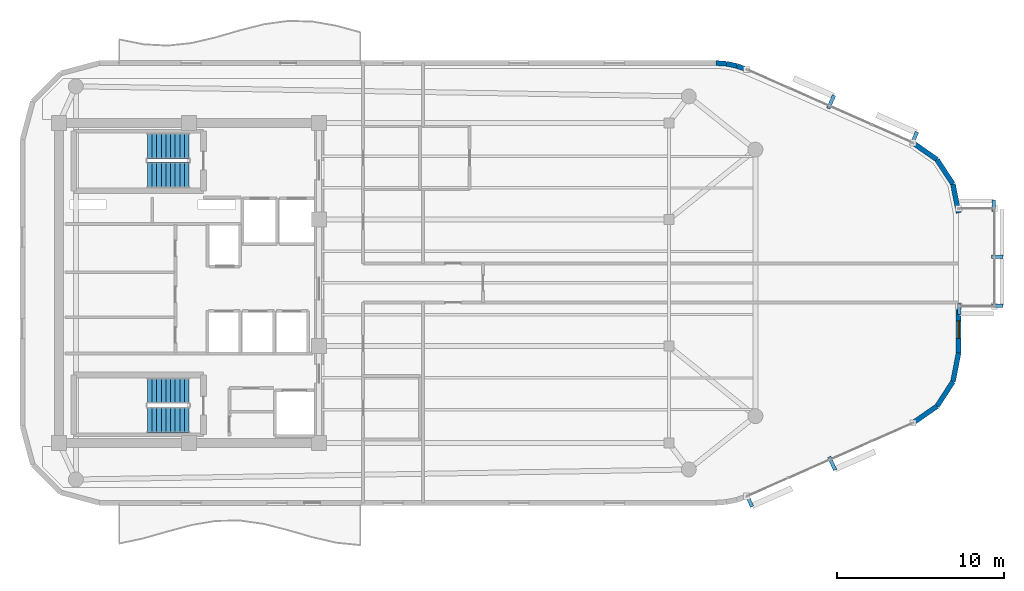
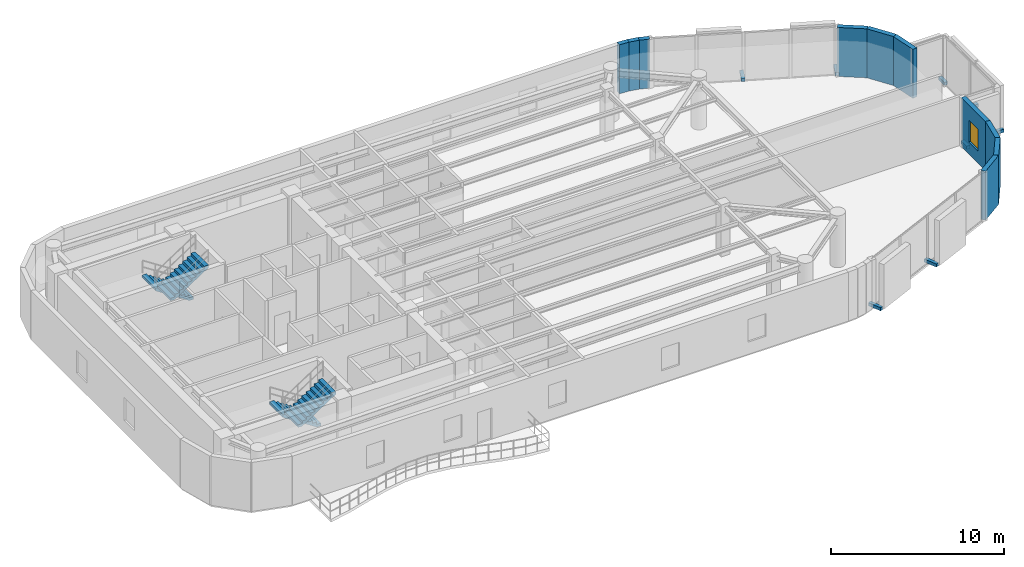
# One storey, part 11 of 13: 10 walls, 8 discrete accessories, 4 stair flights, 1 window, 1 opening, 2 elements without a shape of their own.
"""IFC4 building model written with IfcOpenShell, lengths in metres."""

from ifc_helpers import new_model, si_unit, direction, frame, frame_2d, origin, origin_2d, place, context, subcontext, project, spatial, polyline, rectangle, outline, extrude, material, layer, layer_set, type_object, element, fill, aggregate, save


model = new_model("IFC4")

# Units and contexts
model_context = context("Model", 3, precision=1e-05, world=origin(), true_north=direction((0.0, 1.0)))
body_context = subcontext(model_context, "Body", "Model", "MODEL_VIEW")
ifc_project = project(units=[si_unit("LENGTHUNIT", "METRE"), si_unit("AREAUNIT", "SQUARE_METRE"), si_unit("VOLUMEUNIT", "CUBIC_METRE"), si_unit("PLANEANGLEUNIT", "RADIAN"), si_unit("MASSUNIT", "GRAM", prefix="KILO")], contexts=[model_context])

# Site, building, storey
site_placement = place(None, origin())
site = spatial("IfcSite", under=ifc_project, at=site_placement, CompositionType="ELEMENT")
building_placement = place(site_placement, origin())
building = spatial("IfcBuilding", under=site, at=building_placement, Name="An Khanh Terracotta Commons", CompositionType="ELEMENT")
storey_placement = place(building_placement, frame((0.0, 0.0, 277.050048828125)))
storey = spatial("IfcBuildingStorey", under=building, at=storey_placement, Name="L72", CompositionType="ELEMENT", Elevation=277.050048828125)

# Walls
ifc_material_1 = material(Name="Precast concrete C40/50", Category="concrete")
ifc_layer = layer(ifc_material_1, 0.300048828125, Name="Precast concrete C40/50")
ifc_layer_set = layer_set([ifc_layer], Name="Precast concrete C40/50")
wall_type = type_object("IfcWallType", Name="WALL-EXT-300", PredefinedType="SOLIDWALL", material=ifc_layer_set)
wall_1_placement = place(storey_placement, frame((72.85693359375, 15.590087890625, 0.0), z_axis=(0.0, 0.0, 1.0), x_axis=(0.821006966142, 0.570918174124, 0.0)))
element("IfcWall", 1, at=wall_1_placement, inside=storey, type_object=wall_type, Name="L72 Insulated Terracotta Exterior Wall 9", PredefinedType="SOLIDWALL", context=body_context, shape_type="SweptSolid", body=[
    extrude(rectangle(XDim=1.760009765625, YDim=0.300048828125, at=frame_2d((0.8798828125, 0.0))), origin(), (0.0, 0.0, 1.0), 3.449951171875),
])
for number, where, z_axis, x_axis, name in (
    (2, (74.302001953125, 16.594970703125, 0.0), (0.0, 0.0, 1.0), (0.545836224831, 0.837891887813, 0.0), "L72 Insulated Terracotta Exterior Wall 10"),
    (3, (75.262939453125, 18.070068359375, 0.0), (0.0, 0.0, 1.0), (0.1915005851, 0.981492499159, 0.0), "L72 Insulated Terracotta Exterior Wall 11"),
):
    element("IfcWall", number, at=place(storey_placement, frame(where, z_axis=z_axis, x_axis=x_axis)), inside=storey, type_object=wall_type, Name=name, PredefinedType="SOLIDWALL", context=body_context, shape_type="SweptSolid", body=[
        extrude(rectangle(XDim=1.760498046875, YDim=0.300048828125, at=frame_2d((0.88037109375, 0.0))), origin(), (0.0, 0.0, 1.0), 3.449951171875),
    ])

# Wall, opening, window
wall_2_placement = place(storey_placement, frame((75.60009765625, 19.798095703125, 0.0), z_axis=(0.0, 0.0, 1.0), x_axis=(0.0, 1.0, 0.0)))
wall_2 = element("IfcWall", 4, at=wall_2_placement, inside=storey, type_object=wall_type, Name="L72 East Nose Wall South", PredefinedType="SOLIDWALL", context=body_context, shape_type="SweptSolid", body=[
    extrude(rectangle(XDim=2.802001953125, YDim=0.300048828125, at=frame_2d((1.40087890625, 0.0))), origin(), (0.0, 0.0, 1.0), 3.449951171875),
])
opening_placement = place(wall_2_placement, frame((0.8759765625, 0.0, 0.85009765625)))
opening = element("IfcOpeningElement", 5, at=opening_placement, cuts=wall_2, Name="Opening W-06", PredefinedType="OPENING", context=body_context, shape_type="SweptSolid", body=[
    extrude(rectangle(XDim=1.050048828125, YDim=1.550048828125, at=frame_2d((0.52490234375, 0.77490234375))), frame((0.0, 0.159912109375, 0.0), z_axis=(0.0, -1.0, 0.0), x_axis=(1.0, 0.0, 0.0)), (0.0, 0.0, 1.0), 0.320068359375),
])
ifc_material_2 = material(Name="Thermally Broken Aluminium and Low-E Glass", Category="aluminium")
window_type = type_object("IfcWindowType", Name="WIN-COR-1050x1550", PartitioningType="SINGLE_PANEL", PredefinedType="WINDOW", material=ifc_material_2)
window_placement = place(opening_placement, origin())
window = element("IfcWindow", 6, at=window_placement, inside=storey, type_object=window_type, Name="L72 East Nose South Casement Window", OverallHeight=1.550048828125, OverallWidth=1.050048828125, PartitioningType="SINGLE_PANEL", PredefinedType="WINDOW", context=body_context, shape_type="SweptSolid", body=[
    extrude(rectangle(XDim=1.050048828125, YDim=1.550048828125, at=frame_2d((0.52490234375, 0.77490234375))), frame((0.0, 0.030029296875, 0.0), z_axis=(0.0, -1.0, 0.0), x_axis=(1.0, 0.0, 0.0)), (0.0, 0.0, 1.0), 0.06005859375),
])
fill(opening, window)

# Walls
for number, where, z_axis, x_axis, name in (
    (7, (75.60009765625, 28.201904296875, 0.0), (0.0, 0.0, 1.0), (-0.1915005851, 0.981492499159, 0.0), "L72 Insulated Terracotta Exterior Wall 13"),
    (8, (75.262939453125, 29.929931640625, 0.0), (0.0, 0.0, 1.0), (-0.545836224831, 0.837891887813, 0.0), "L72 Insulated Terracotta Exterior Wall 14"),
):
    element("IfcWall", number, at=place(storey_placement, frame(where, z_axis=z_axis, x_axis=x_axis)), inside=storey, type_object=wall_type, Name=name, PredefinedType="SOLIDWALL", context=body_context, shape_type="SweptSolid", body=[
        extrude(rectangle(XDim=1.760498046875, YDim=0.300048828125, at=frame_2d((0.88037109375, 0.0))), origin(), (0.0, 0.0, 1.0), 3.449951171875),
    ])
wall_3_placement = place(storey_placement, frame((74.302001953125, 31.405029296875, 0.0), z_axis=(0.0, 0.0, 1.0), x_axis=(-0.821006966142, 0.570918174124, 0.0)))
element("IfcWall", 9, at=wall_3_placement, inside=storey, type_object=wall_type, Name="L72 Insulated Terracotta Exterior Wall 15", PredefinedType="SOLIDWALL", context=body_context, shape_type="SweptSolid", body=[
    extrude(rectangle(XDim=1.760009765625, YDim=0.300048828125, at=frame_2d((0.8798828125, 0.0))), origin(), (0.0, 0.0, 1.0), 3.449951171875),
])
wall_4_placement = place(storey_placement, frame((62.886962890625, 36.80908203125, 0.0), z_axis=(0.0, 0.0, 1.0), x_axis=(-0.94077491148, 0.339031806665, 0.0)))
element("IfcWall", 10, at=wall_4_placement, inside=storey, type_object=wall_type, Name="L72 Insulated Terracotta Exterior Wall 17", PredefinedType="SOLIDWALL", context=body_context, shape_type="SweptSolid", body=[
    extrude(rectangle(XDim=0.636474609375, YDim=0.300048828125, at=frame_2d((0.318359375, 0.0))), origin(), (0.0, 0.0, 1.0), 3.449951171875),
])
wall_5_placement = place(storey_placement, frame((62.2880859375, 37.02490234375, 0.0), z_axis=(0.0, 0.0, 1.0), x_axis=(-0.97857012251, 0.205913854149, 0.0)))
element("IfcWall", 11, at=wall_5_placement, inside=storey, type_object=wall_type, Name="L72 Insulated Terracotta Exterior Wall 18", PredefinedType="SOLIDWALL", context=body_context, shape_type="SweptSolid", body=[
    extrude(rectangle(XDim=0.63671875, YDim=0.300048828125, at=frame_2d((0.318359375, 0.0))), origin(), (0.0, 0.0, 1.0), 3.449951171875),
])
wall_6_placement = place(storey_placement, frame((61.6650390625, 37.156005859375, 0.0), z_axis=(0.0, 0.0, 1.0), x_axis=(-0.997613959688, 0.069039028352, 0.0)))
element("IfcWall", 12, at=wall_6_placement, inside=storey, type_object=wall_type, Name="L72 Insulated Terracotta Exterior Wall 19", PredefinedType="SOLIDWALL", context=body_context, shape_type="SweptSolid", body=[
    extrude(rectangle(XDim=0.636474609375, YDim=0.300048828125, at=frame_2d((0.318359375, 0.0))), origin(), (0.0, 0.0, 1.0), 3.449951171875),
])

# Stair, stair flights
stair_type = type_object("IfcStairType", Name="STAIR-CORE-1550", PredefinedType="HALF_TURN_STAIR", material=ifc_material_1)
stair_1_placement = place(storey_placement, origin())
stair_1 = element("IfcStair", 13, at=stair_1_placement, inside=storey, type_object=stair_type, Name="L72 Core Smokeproof Exit Stair ST-01", PredefinedType="HALF_TURN_STAIR")
stair_flight_type = type_object("IfcStairFlightType", Name="FLIGHT-CORE-1550", PredefinedType="STRAIGHT", material=ifc_material_1)
stair_flight_1_placement = place(storey_placement, frame((29.409912109375, 32.22509765625, 0.0), z_axis=(0.0, 0.0, 1.0), x_axis=(-1.0, 0.0, 0.0)))
stair_flight_1 = element("IfcStairFlight", 14, at=stair_flight_1_placement, type_object=stair_flight_type, Name="ST-01 flight 1", NumberOfRisers=10, NumberOfTreads=9, PredefinedType="STRAIGHT", RiserHeight=0.1825, TreadLength=0.28, context=body_context, shape_type="SweptSolid", body=[
    extrude(outline(polyline([(0.0, 0.0), (0.0, 0.1826171875), (0.280029296875, 0.1826171875), (0.280029296875, 0.364990234375), (0.56005859375, 0.364990234375), (0.56005859375, 0.547607421875), (0.840087890625, 0.547607421875), (0.840087890625, 0.72998046875), (1.1201171875, 0.72998046875), (1.1201171875, 0.91259765625), (1.39990234375, 0.91259765625), (1.39990234375, 1.094970703125), (1.679931640625, 1.094970703125), (1.679931640625, 1.277587890625), (1.9599609375, 1.277587890625), (1.9599609375, 1.4599609375), (2.239990234375, 1.4599609375), (2.239990234375, 1.642578125), (2.52001953125, 1.642578125), (2.52001953125, 1.824951171875), (2.52001953125, 1.463623046875), (0.2744140625, 0.0), (0.0, 0.0)])), frame((0.0, 0.77490234375, 0.0), z_axis=(0.0, -1.0, 0.0), x_axis=(1.0, 0.0, 0.0)), (0.0, 0.0, 1.0), 1.550048828125),
])
stair_flight_2_placement = place(storey_placement, frame((26.889892578125, 30.47509765625, 1.824951171875), z_axis=(0.0, 0.0, 1.0), x_axis=(1.0, 0.0, 0.0)))
stair_flight_2 = element("IfcStairFlight", 15, at=stair_flight_2_placement, type_object=stair_flight_type, Name="ST-01 flight 2", NumberOfRisers=10, NumberOfTreads=9, PredefinedType="STRAIGHT", RiserHeight=0.1825, TreadLength=0.28, context=body_context, shape_type="SweptSolid", body=[
    extrude(outline(polyline([(0.0, 0.0), (0.0, 0.1826171875), (0.280029296875, 0.1826171875), (0.280029296875, 0.364990234375), (0.56005859375, 0.364990234375), (0.56005859375, 0.547607421875), (0.840087890625, 0.547607421875), (0.840087890625, 0.72998046875), (1.1201171875, 0.72998046875), (1.1201171875, 0.91259765625), (1.39990234375, 0.91259765625), (1.39990234375, 1.094970703125), (1.679931640625, 1.094970703125), (1.679931640625, 1.277587890625), (1.9599609375, 1.277587890625), (1.9599609375, 1.4599609375), (2.239990234375, 1.4599609375), (2.239990234375, 1.642578125), (2.52001953125, 1.642578125), (2.52001953125, 1.824951171875), (2.52001953125, 1.463623046875), (0.2744140625, 0.0), (0.0, 0.0)])), frame((0.0, 0.77490234375, 0.0), z_axis=(0.0, -1.0, 0.0), x_axis=(1.0, 0.0, 0.0)), (0.0, 0.0, 1.0), 1.550048828125),
])
aggregate(stair_1, [stair_flight_1, stair_flight_2])

stair_2_placement = place(storey_placement, origin())
stair_2 = element("IfcStair", 16, at=stair_2_placement, inside=storey, type_object=stair_type, Name="L72 Core Smokeproof Exit Stair ST-02", PredefinedType="HALF_TURN_STAIR")
stair_flight_3_placement = place(storey_placement, frame((29.409912109375, 17.52490234375, 0.0), z_axis=(0.0, 0.0, 1.0), x_axis=(-1.0, 0.0, 0.0)))
stair_flight_3 = element("IfcStairFlight", 17, at=stair_flight_3_placement, type_object=stair_flight_type, Name="ST-02 flight 1", NumberOfRisers=10, NumberOfTreads=9, PredefinedType="STRAIGHT", RiserHeight=0.1825, TreadLength=0.28, context=body_context, shape_type="SweptSolid", body=[
    extrude(outline(polyline([(0.0, 0.0), (0.0, 0.1826171875), (0.280029296875, 0.1826171875), (0.280029296875, 0.364990234375), (0.56005859375, 0.364990234375), (0.56005859375, 0.547607421875), (0.840087890625, 0.547607421875), (0.840087890625, 0.72998046875), (1.1201171875, 0.72998046875), (1.1201171875, 0.91259765625), (1.39990234375, 0.91259765625), (1.39990234375, 1.094970703125), (1.679931640625, 1.094970703125), (1.679931640625, 1.277587890625), (1.9599609375, 1.277587890625), (1.9599609375, 1.4599609375), (2.239990234375, 1.4599609375), (2.239990234375, 1.642578125), (2.52001953125, 1.642578125), (2.52001953125, 1.824951171875), (2.52001953125, 1.463623046875), (0.2744140625, 0.0), (0.0, 0.0)])), frame((0.0, 0.77490234375, 0.0), z_axis=(0.0, -1.0, 0.0), x_axis=(1.0, 0.0, 0.0)), (0.0, 0.0, 1.0), 1.550048828125),
])
stair_flight_4_placement = place(storey_placement, frame((26.889892578125, 15.77490234375, 1.824951171875), z_axis=(0.0, 0.0, 1.0), x_axis=(1.0, 0.0, 0.0)))
stair_flight_4 = element("IfcStairFlight", 18, at=stair_flight_4_placement, type_object=stair_flight_type, Name="ST-02 flight 2", NumberOfRisers=10, NumberOfTreads=9, PredefinedType="STRAIGHT", RiserHeight=0.1825, TreadLength=0.28, context=body_context, shape_type="SweptSolid", body=[
    extrude(outline(polyline([(0.0, 0.0), (0.0, 0.1826171875), (0.280029296875, 0.1826171875), (0.280029296875, 0.364990234375), (0.56005859375, 0.364990234375), (0.56005859375, 0.547607421875), (0.840087890625, 0.547607421875), (0.840087890625, 0.72998046875), (1.1201171875, 0.72998046875), (1.1201171875, 0.91259765625), (1.39990234375, 0.91259765625), (1.39990234375, 1.094970703125), (1.679931640625, 1.094970703125), (1.679931640625, 1.277587890625), (1.9599609375, 1.277587890625), (1.9599609375, 1.4599609375), (2.239990234375, 1.4599609375), (2.239990234375, 1.642578125), (2.52001953125, 1.642578125), (2.52001953125, 1.824951171875), (2.52001953125, 1.463623046875), (0.2744140625, 0.0), (0.0, 0.0)])), frame((0.0, 0.77490234375, 0.0), z_axis=(0.0, -1.0, 0.0), x_axis=(1.0, 0.0, 0.0)), (0.0, 0.0, 1.0), 1.550048828125),
])
aggregate(stair_2, [stair_flight_3, stair_flight_4])

# Discrete accessories
ifc_material_3 = material(Name="Stainless Steel Grade 316L", Category="steel")
discrete_accessory_type = type_object("IfcDiscreteAccessoryType", Name="Stainless Outrigger Facade Bracket", PredefinedType="BRACKET", material=ifc_material_3)
for number, where, z_axis, x_axis, name in (
    (19, (63.02587890625, 10.962890625, 0.06982421875), (0.0, 0.0, 1.0), (0.914901853201, 0.403676354285, 0.0), "L72 Terracotta Screen Outrigger Bracket 1"),
    (20, (68.010986328125, 13.162109375, 0.06982421875), (0.0, 0.0, 1.0), (0.914901853201, 0.403676354285, 0.0), "L72 Terracotta Screen Outrigger Bracket 3"),
):
    element("IfcDiscreteAccessory", number, at=place(storey_placement, frame(where, z_axis=z_axis, x_axis=x_axis)), inside=storey, type_object=discrete_accessory_type, Name=name, PredefinedType="BRACKET", context=body_context, shape_type="SweptSolid", body=[
        extrude(rectangle(XDim=0.219970703125, YDim=0.8701171875, at=origin_2d()), origin(), (0.0, 0.0, 1.0), 0.219970703125),
    ])
for number, where, z_axis, x_axis, name in (
    (21, (77.9150390625, 22.633056640625, 0.06982421875), (0.0, 0.0, 1.0), (0.0, 1.0, 0.0), "L72 Terracotta Screen Outrigger Bracket 1"),
    (22, (77.9150390625, 25.56689453125, 0.06982421875), (0.0, 0.0, 1.0), (0.0, 1.0, 0.0), "L72 Terracotta Screen Outrigger Bracket 2"),
    (23, (75.632080078125, 22.43505859375, 0.06982421875), (0.0, 0.0, 1.0), (1.0, 0.0, 0.0), "L72 Terracotta Screen Outrigger Bracket 1"),
    (24, (77.718017578125, 28.635009765625, 0.06982421875), (0.0, 0.0, 1.0), (-1.0, 0.0, 0.0), "L72 Terracotta Screen Outrigger Bracket 1"),
):
    element("IfcDiscreteAccessory", number, at=place(storey_placement, frame(where, z_axis=z_axis, x_axis=x_axis)), inside=storey, type_object=discrete_accessory_type, Name=name, PredefinedType="BRACKET", context=body_context, shape_type="SweptSolid", body=[
        extrude(rectangle(XDim=0.219970703125, YDim=0.669921875, at=origin_2d()), origin(), (0.0, 0.0, 1.0), 0.219970703125),
    ])
for number, where, z_axis, x_axis, name in (
    (25, (72.931884765625, 32.6669921875, 0.06982421875), (0.0, 0.0, 1.0), (-0.914901853201, 0.403676354285, 0.0), "L72 Terracotta Screen Outrigger Bracket 1"),
    (26, (67.947021484375, 34.865966796875, 0.06982421875), (0.0, 0.0, 1.0), (-0.914901853201, 0.403676354285, 0.0), "L72 Terracotta Screen Outrigger Bracket 3"),
):
    element("IfcDiscreteAccessory", number, at=place(storey_placement, frame(where, z_axis=z_axis, x_axis=x_axis)), inside=storey, type_object=discrete_accessory_type, Name=name, PredefinedType="BRACKET", context=body_context, shape_type="SweptSolid", body=[
        extrude(rectangle(XDim=0.219970703125, YDim=0.8701171875, at=origin_2d()), origin(), (0.0, 0.0, 1.0), 0.219970703125),
    ])

save(model, "model.ifc")
